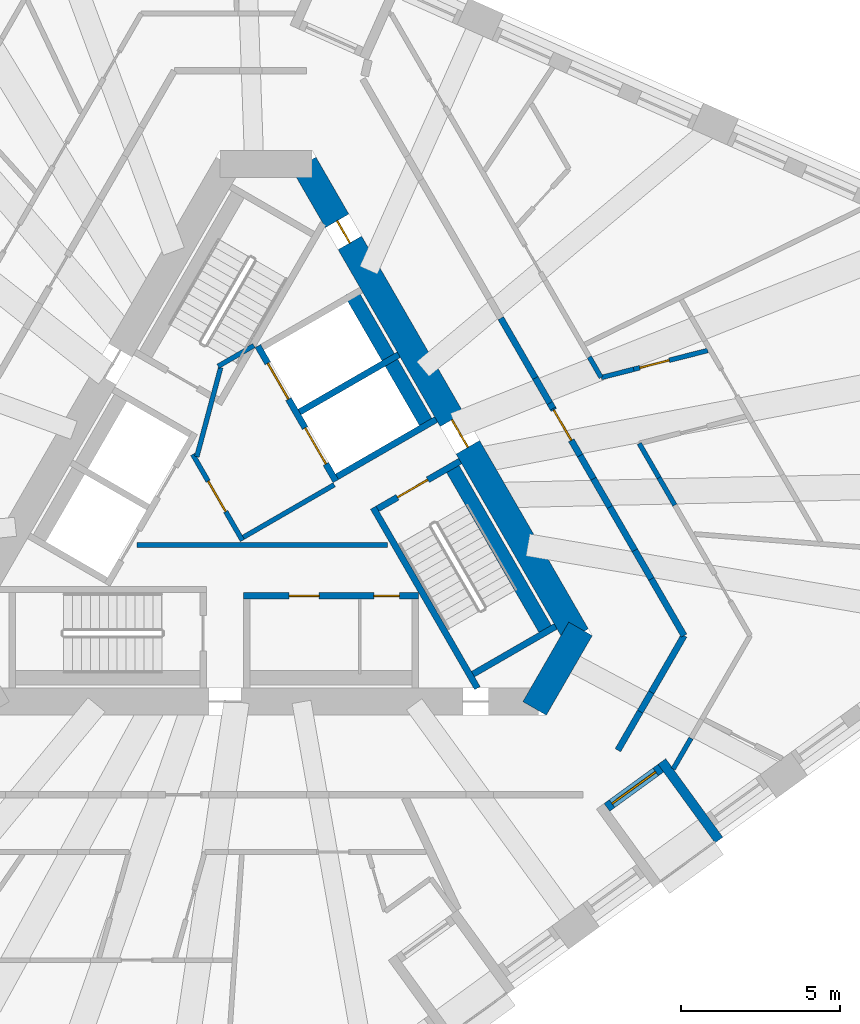
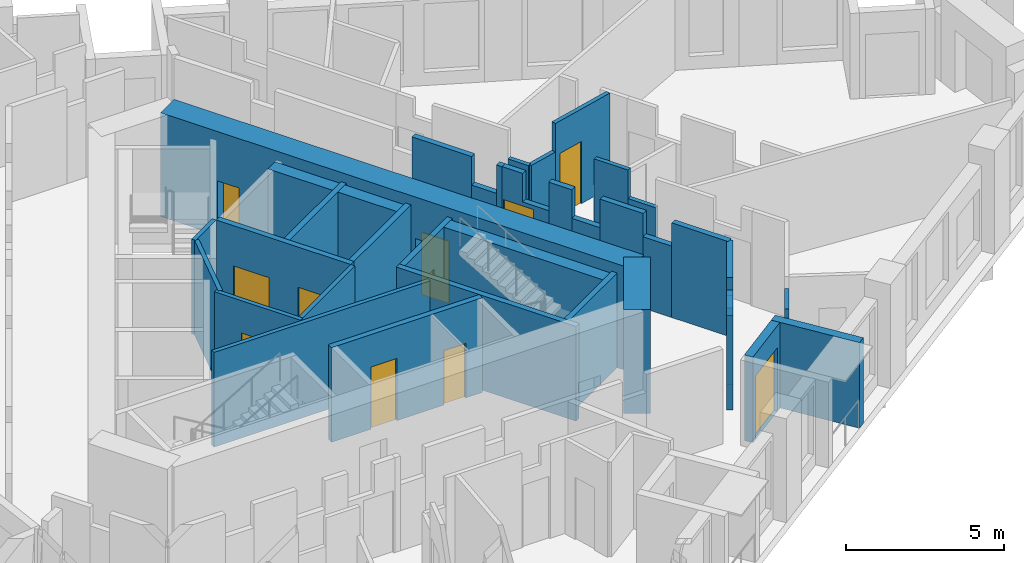
# One storey, part 5 of 14: 36 walls, 11 doors, 11 openings.
"""IFC4 building model written with IfcOpenShell, lengths in metres."""

from ifc_helpers import new_model, si_unit, direction, frame, frame_2d, origin, place, context, subcontext, project, spatial, polyline, rectangle, outline, extrude, material, layer, layer_set, type_object, element, fill, save


model = new_model("IFC4")

# Units and contexts
model_context = context("Model", 3, precision=1e-05, world=origin(), true_north=direction((0.0, 1.0)))
body_context = subcontext(model_context, "Body", "Model", "MODEL_VIEW")
ifc_project = project(units=[si_unit("LENGTHUNIT", "METRE"), si_unit("AREAUNIT", "SQUARE_METRE"), si_unit("VOLUMEUNIT", "CUBIC_METRE"), si_unit("PLANEANGLEUNIT", "RADIAN"), si_unit("MASSUNIT", "GRAM", prefix="KILO")], contexts=[model_context])

# Site, building, storey
site_placement = place(None, origin())
site = spatial("IfcSite", under=ifc_project, at=site_placement, CompositionType="ELEMENT")
building_placement = place(site_placement, origin())
building = spatial("IfcBuilding", under=site, at=building_placement, Name="Tramontana Tower", CompositionType="ELEMENT")
storey_placement = place(building_placement, frame((0.0, 0.0, 174.800048828125)))
storey = spatial("IfcBuildingStorey", under=building, at=storey_placement, Name="L40", CompositionType="ELEMENT", Elevation=174.800048828125)

# Wall
ifc_material_1 = material(Name="Concrete 70 MPa", Category="concrete")
ifc_layer_1 = layer(ifc_material_1, 0.85009765625)
ifc_layer_set_1 = layer_set([ifc_layer_1], Name="Core wall 850 70 MPa")
wall_type_1 = type_object("IfcWallType", Name="Core wall 850 70 MPa", PredefinedType="SHEAR", material=ifc_layer_set_1)
wall_1_placement = place(storey_placement, frame((8.4365234375, -6.53759765625, 0.0), z_axis=(0.0, 0.0, 1.0), x_axis=(0.499995765644, 0.866027848477, 0.0)))
element("IfcWall", 1, at=wall_1_placement, inside=storey, type_object=wall_type_1, Name="Core wall C4 L40", PredefinedType="SHEAR", context=body_context, shape_type="SweptSolid", body=[
    extrude(rectangle(XDim=2.88671875, YDim=0.85009765625, at=frame_2d((1.443359375, 0.0))), origin(), (0.0, 0.0, 1.0), 4.0),
])

# Wall, openings, doors
wall_2_placement = place(storey_placement, frame((9.757080078125, -4.25, 0.0), z_axis=(0.0, 0.0, 1.0), x_axis=(-0.499995289315, 0.866028123483, 0.0)))
wall_2 = element("IfcWall", 2, at=wall_2_placement, inside=storey, type_object=wall_type_1, Name="Core wall C5 L40", PredefinedType="SHEAR", context=body_context, shape_type="SweptSolid", body=[
    extrude(rectangle(XDim=17.118408203125, YDim=0.85009765625, at=frame_2d((8.55908203125, 0.0))), origin(), (0.0, 0.0, 1.0), 4.0),
])
opening_1_placement = place(wall_2_placement, frame((6.834228515625, 0.0, 0.0)))
opening_1 = element("IfcOpeningElement", 3, at=opening_1_placement, cuts=wall_2, Name="Opening RG3", PredefinedType="OPENING", context=body_context, shape_type="SweptSolid", body=[
    extrude(rectangle(XDim=1.0, YDim=2.39990234375, at=frame_2d((0.5, 1.199951171875))), frame((0.0, 0.43505859375, 0.0), z_axis=(0.0, -1.0, 0.0), x_axis=(1.0, 0.0, 0.0)), (0.0, 0.0, 1.0), 0.8701171875),
])
opening_2_placement = place(wall_2_placement, frame((14.251708984375, 0.0, 0.0)))
opening_2 = element("IfcOpeningElement", 4, at=opening_2_placement, cuts=wall_2, Name="Opening PD3", PredefinedType="OPENING", context=body_context, shape_type="SweptSolid", body=[
    extrude(rectangle(XDim=0.800048828125, YDim=2.10009765625, at=frame_2d((0.39990234375, 1.050048828125))), frame((0.0, 0.43505859375, 0.0), z_axis=(0.0, -1.0, 0.0), x_axis=(1.0, 0.0, 0.0)), (0.0, 0.0, 1.0), 0.8701171875),
])
ifc_material_2 = material(Name="Painted steel", Category="steel")
door_type_1 = type_object("IfcDoorType", Name="CUPBOARD DOOR 800", OperationType="SINGLE_SWING_LEFT", PredefinedType="DOOR", material=ifc_material_2)
door_1_placement = place(opening_2_placement, origin())
door_1 = element("IfcDoor", 5, at=door_1_placement, inside=storey, type_object=door_type_1, Name="Door PD3", OperationType="SINGLE_SWING_RIGHT", OverallHeight=2.10009765625, OverallWidth=0.800048828125, PredefinedType="DOOR", context=body_context, shape_type="SweptSolid", body=[
    extrude(rectangle(XDim=0.800048828125, YDim=2.10009765625, at=frame_2d((0.39990234375, 1.050048828125))), frame((0.0, 0.02490234375, 0.0), z_axis=(0.0, -1.0, 0.0), x_axis=(1.0, 0.0, 0.0)), (0.0, 0.0, 1.0), 0.050048828125),
])
fill(opening_2, door_1)
ifc_material_3 = material(Name="Painted steel", Category="steel")
door_type_2 = type_object("IfcDoorType", Name="RING DOOR 1000", OperationType="SINGLE_SWING_LEFT", PredefinedType="DOOR", material=ifc_material_3)
door_2_placement = place(opening_1_placement, origin())
door_2 = element("IfcDoor", 6, at=door_2_placement, inside=storey, type_object=door_type_2, Name="Door RG3", OperationType="SINGLE_SWING_RIGHT", OverallHeight=2.39990234375, OverallWidth=1.0, PredefinedType="DOOR", context=body_context, shape_type="SweptSolid", body=[
    extrude(rectangle(XDim=1.0, YDim=2.39990234375, at=frame_2d((0.5, 1.199951171875))), frame((0.0, 0.02490234375, 0.0), z_axis=(0.0, -1.0, 0.0), x_axis=(1.0, 0.0, 0.0)), (0.0, 0.0, 1.0), 0.050048828125),
])
fill(opening_1, door_2)

# Walls
ifc_material_4 = material(Name="Blockwork", Category="masonry")
ifc_layer_2 = layer(ifc_material_4, 0.199951171875)
ifc_layer_set_2 = layer_set([ifc_layer_2], Name="ENTRY WALL 200")
wall_type_2 = type_object("IfcWallType", Name="ENTRY WALL 200", PredefinedType="SOLIDWALL", material=ifc_layer_set_2)
wall_3_placement = place(storey_placement, frame((7.37548828125, 5.725341796875, 0.0), z_axis=(0.0, 0.0, 1.0), x_axis=(0.499975720793, -0.866039420937, 0.0)))
element("IfcWall", 7, at=wall_3_placement, inside=storey, type_object=wall_type_2, Name="Wall v41-ew0-4", PredefinedType="SOLIDWALL", context=body_context, shape_type="SweptSolid", body=[
    extrude(rectangle(XDim=2.16943359375, YDim=0.199951171875, at=frame_2d((1.084716796875, 0.0))), origin(), (0.0, 0.0, 1.0), 3.64990234375),
])
wall_4_placement = place(storey_placement, frame((8.460205078125, 3.846435546875, 0.0), z_axis=(0.0, 0.0, 1.0), x_axis=(0.499977996243, -0.866038107287, 0.0)))
element("IfcWall", 8, at=wall_4_placement, inside=storey, type_object=wall_type_2, Name="Wall v41-ew0-5", PredefinedType="SOLIDWALL", context=body_context, shape_type="SweptSolid", body=[
    extrude(rectangle(XDim=0.90966796875, YDim=0.199951171875, at=frame_2d((0.454833984375, 0.0))), origin(), (0.0, 0.0, 1.0), 2.550048828125),
])
wall_5_placement = place(storey_placement, frame((8.9150390625, 3.05859375, 0.0), z_axis=(0.0, 0.0, 1.0), x_axis=(0.500074377092, -0.865982457891, 0.0)))
element("IfcWall", 9, at=wall_5_placement, inside=storey, type_object=wall_type_2, Name="Wall v41-ew0-6", PredefinedType="SOLIDWALL", context=body_context, shape_type="SweptSolid", body=[
    extrude(rectangle(XDim=0.2001953125, YDim=0.199951171875, at=frame_2d((0.10009765625, 0.0))), origin(), (0.0, 0.0, 1.0), 3.64990234375),
])

# Wall, opening, door
wall_6_placement = place(storey_placement, frame((9.01513671875, 2.88525390625, 0.0), z_axis=(0.0, 0.0, 1.0), x_axis=(0.500036553983, -0.866004298304, 0.0)))
wall_6 = element("IfcWall", 10, at=wall_6_placement, inside=storey, type_object=wall_type_2, Name="Wall v41-ew0-7", PredefinedType="SOLIDWALL", context=body_context, shape_type="SweptSolid", body=[
    extrude(outline(polyline([(0.0, 0.0), (1.704345703125, 0.0), (1.7041015625, 2.550048828125), (0.750732421875, 2.550048828125), (0.750732421875, 3.64990234375), (0.0, 3.64990234375), (0.0, 0.0)])), frame((0.0, 0.10009765625, 0.0), z_axis=(0.0, -1.0, 0.0), x_axis=(1.0, 0.0, 0.0)), (0.0, 0.0, 1.0), 0.199951171875),
])
opening_3_placement = place(wall_6_placement, frame((0.050048828125, 0.0, 0.0)))
opening_3 = element("IfcOpeningElement", 11, at=opening_3_placement, cuts=wall_6, Name="Opening B4B-26", PredefinedType="OPENING", context=body_context, shape_type="SweptSolid", body=[
    extrude(rectangle(XDim=1.10009765625, YDim=2.39990234375, at=frame_2d((0.550048828125, 1.199951171875))), frame((0.0, 0.10986328125, 0.0), z_axis=(0.0, -1.0, 0.0), x_axis=(1.0, 0.0, 0.0)), (0.0, 0.0, 1.0), 0.219970703125),
])
ifc_material_5 = material(Name="Painted timber", Category="wood")
door_type_3 = type_object("IfcDoorType", Name="DOOR ENTRY 1100", OperationType="SINGLE_SWING_LEFT", PredefinedType="DOOR", material=ifc_material_5)
door_3_placement = place(opening_3_placement, origin())
door_3 = element("IfcDoor", 12, at=door_3_placement, inside=storey, type_object=door_type_3, Name="Door B4B-26", OperationType="SINGLE_SWING_RIGHT", OverallHeight=2.39990234375, OverallWidth=1.10009765625, PredefinedType="DOOR", context=body_context, shape_type="SweptSolid", body=[
    extrude(rectangle(XDim=1.10009765625, YDim=2.39990234375, at=frame_2d((0.550048828125, 1.199951171875))), frame((0.0, 0.02490234375, 0.0), z_axis=(0.0, -1.0, 0.0), x_axis=(1.0, 0.0, 0.0)), (0.0, 0.0, 1.0), 0.050048828125),
])
fill(opening_3, door_3)

# Walls
wall_7_placement = place(storey_placement, frame((9.867431640625, 1.4091796875, 0.0), z_axis=(0.0, 0.0, 1.0), x_axis=(0.499822960955, -0.8661275932, 0.0)))
element("IfcWall", 13, at=wall_7_placement, inside=storey, type_object=wall_type_2, Name="Wall v41-ew0-8", PredefinedType="SOLIDWALL", context=body_context, shape_type="SweptSolid", body=[
    extrude(rectangle(XDim=0.841064453125, YDim=0.199951171875, at=frame_2d((0.42041015625, 0.0))), origin(), (0.0, 0.0, 1.0), 3.64990234375),
])
wall_8_placement = place(storey_placement, frame((10.287841796875, 0.6806640625, 0.0), z_axis=(0.0, 0.0, 1.0), x_axis=(0.500079402778, -0.865979555715, 0.0)))
element("IfcWall", 14, at=wall_8_placement, inside=storey, type_object=wall_type_2, Name="Wall v41-ew0-9", PredefinedType="SOLIDWALL", context=body_context, shape_type="SweptSolid", body=[
    extrude(rectangle(XDim=1.026123046875, YDim=0.199951171875, at=frame_2d((0.51318359375, 0.0))), origin(), (0.0, 0.0, 1.0), 2.550048828125),
])
wall_9_placement = place(storey_placement, frame((10.801025390625, -0.2080078125, 0.0), z_axis=(0.0, 0.0, 1.0), x_axis=(0.500031717574, -0.86600709086, 0.0)))
element("IfcWall", 15, at=wall_9_placement, inside=storey, type_object=wall_type_2, Name="Wall v41-ew0-10", PredefinedType="SOLIDWALL", context=body_context, shape_type="SweptSolid", body=[
    extrude(rectangle(XDim=1.57177734375, YDim=0.199951171875, at=frame_2d((0.785888671875, 0.0))), origin(), (0.0, 0.0, 1.0), 3.64990234375),
])
wall_10_placement = place(storey_placement, frame((11.5869140625, -1.569091796875, 0.0), z_axis=(0.0, 0.0, 1.0), x_axis=(0.500054530113, -0.86599391852, 0.0)))
element("IfcWall", 16, at=wall_10_placement, inside=storey, type_object=wall_type_2, Name="Wall v41-ew0-11", PredefinedType="SOLIDWALL", context=body_context, shape_type="SweptSolid", body=[
    extrude(rectangle(XDim=1.03955078125, YDim=0.199951171875, at=frame_2d((0.519775390625, 0.0))), origin(), (0.0, 0.0, 1.0), 2.75),
])
wall_11_placement = place(storey_placement, frame((12.106689453125, -2.46923828125, 0.0), z_axis=(0.0, 0.0, 1.0), x_axis=(0.499982825521, -0.866035319247, 0.0)))
element("IfcWall", 17, at=wall_11_placement, inside=storey, type_object=wall_type_2, Name="Wall v41-ew0-12", PredefinedType="SOLIDWALL", context=body_context, shape_type="SweptSolid", body=[
    extrude(rectangle(XDim=2.05615234375, YDim=0.199951171875, at=frame_2d((1.028076171875, 0.0))), origin(), (0.0, 0.0, 1.0), 3.64990234375),
])
wall_12_placement = place(storey_placement, frame((13.134765625, -4.25, 0.0), z_axis=(0.0, 0.0, 1.0), x_axis=(-0.500030520673, -0.866007781949, 0.0)))
element("IfcWall", 18, at=wall_12_placement, inside=storey, type_object=wall_type_2, Name="Wall v41-ew1-0", PredefinedType="SOLIDWALL", context=body_context, shape_type="SweptSolid", body=[
    extrude(rectangle(XDim=2.057861328125, YDim=0.199951171875, at=frame_2d((1.02880859375, 0.0))), origin(), (0.0, 0.0, 1.0), 3.64990234375),
])
wall_13_placement = place(storey_placement, frame((12.105712890625, -6.0322265625, 0.0), z_axis=(0.0, 0.0, 1.0), x_axis=(-0.49996389635, -0.866046247233, 0.0)))
element("IfcWall", 19, at=wall_13_placement, inside=storey, type_object=wall_type_2, Name="Wall v41-ew1-1", PredefinedType="SOLIDWALL", context=body_context, shape_type="SweptSolid", body=[
    extrude(rectangle(XDim=0.7001953125, YDim=0.199951171875, at=frame_2d((0.35009765625, 0.0))), origin(), (0.0, 0.0, 1.0), 2.949951171875),
])
wall_14_placement = place(storey_placement, frame((11.755615234375, -6.638671875, 0.0), z_axis=(0.0, 0.0, 1.0), x_axis=(-0.49998411664, -0.866034573852, 0.0)))
element("IfcWall", 20, at=wall_14_placement, inside=storey, type_object=wall_type_2, Name="Wall v41-ew1-2", PredefinedType="SOLIDWALL", context=body_context, shape_type="SweptSolid", body=[
    extrude(rectangle(XDim=1.39990234375, YDim=0.199951171875, at=frame_2d((0.699951171875, 0.0))), origin(), (0.0, 0.0, 1.0), 3.64990234375),
])

# Wall, opening, door
ifc_material_6 = material(Name="Precast concrete 60 MPa", Category="concrete")
ifc_layer_3 = layer(ifc_material_6, 0.300048828125)
ifc_layer_set_3 = layer_set([ifc_layer_3], Name="LW1 Stone-faced loggia wall 300")
wall_type_3 = type_object("IfcWallType", Name="LW1 Stone-faced loggia wall 300", PredefinedType="SOLIDWALL", material=ifc_layer_set_3)
wall_15_placement = place(storey_placement, frame((10.710205078125, -9.647216796875, 0.0), z_axis=(0.0, 0.0, 1.0), x_axis=(0.808972932648, 0.587845893277, 0.0)))
wall_15 = element("IfcWall", 21, at=wall_15_placement, inside=storey, type_object=wall_type_3, Name="Loggia wall L40 G4S1.10", PredefinedType="SOLIDWALL", context=body_context, shape_type="SweptSolid", body=[
    extrude(rectangle(XDim=2.094482421875, YDim=0.300048828125, at=frame_2d((1.04736328125, 0.0))), origin(), (0.0, 0.0, 1.0), 3.300048828125),
])
opening_4_placement = place(wall_15_placement, frame((0.197265625, 0.0, 0.0)))
opening_4 = element("IfcOpeningElement", 22, at=opening_4_placement, cuts=wall_15, Name="Opening BD-4S1-10", PredefinedType="OPENING", context=body_context, shape_type="SweptSolid", body=[
    extrude(rectangle(XDim=1.699951171875, YDim=2.449951171875, at=frame_2d((0.85009765625, 1.22509765625))), frame((0.0, 0.159912109375, 0.0), z_axis=(0.0, -1.0, 0.0), x_axis=(1.0, 0.0, 0.0)), (0.0, 0.0, 1.0), 0.320068359375),
])
ifc_material_7 = material(Name="Aluminum frame, double glazing unit", Category="aluminium")
door_type_4 = type_object("IfcDoorType", Name="BD2 Sliding door 1.7 x 2.45", OperationType="SLIDING_TO_LEFT", PredefinedType="DOOR", material=ifc_material_7)
door_4_placement = place(opening_4_placement, origin())
door_4 = element("IfcDoor", 23, at=door_4_placement, inside=storey, type_object=door_type_4, Name="Loggia door L40 G4S1.10", OperationType="SLIDING_TO_LEFT", OverallHeight=2.449951171875, OverallWidth=1.699951171875, PredefinedType="DOOR", context=body_context, shape_type="SweptSolid", body=[
    extrude(rectangle(XDim=1.699951171875, YDim=2.449951171875, at=frame_2d((0.85009765625, 1.22509765625))), frame((0.0, 0.02490234375, 0.0), z_axis=(0.0, -1.0, 0.0), x_axis=(1.0, 0.0, 0.0)), (0.0, 0.0, 1.0), 0.050048828125),
])
fill(opening_4, door_4)

# Wall
wall_16_placement = place(storey_placement, frame((14.23046875, -10.674072265625, 0.0), z_axis=(0.0, 0.0, 1.0), x_axis=(-0.587776590479, 0.80902328748, 0.0)))
element("IfcWall", 24, at=wall_16_placement, inside=storey, type_object=wall_type_3, Name="Loggia return L40 G4S1.10b", PredefinedType="SOLIDWALL", context=body_context, shape_type="SweptSolid", body=[
    extrude(rectangle(XDim=3.050048828125, YDim=0.300048828125, at=frame_2d((1.52490234375, 0.0))), origin(), (0.0, 0.0, 1.0), 3.300048828125),
])

# Wall, opening, door
ifc_material_8 = material(Name="Gypsum board partition")
ifc_layer_4 = layer(ifc_material_8, 0.14990234375)
ifc_layer_set_4 = layer_set([ifc_layer_4], Name="PARTITION 150")
wall_type_4 = type_object("IfcWallType", Name="PARTITION 150", PredefinedType="PARTITIONING", material=ifc_layer_set_4)
wall_17_placement = place(storey_placement, frame((-0.744140625, -1.260986328125, 0.0), z_axis=(0.0, 0.0, 1.0), x_axis=(-0.500004234368, 0.866022959057, 0.0)))
wall_17 = element("IfcWall", 25, at=wall_17_placement, inside=storey, type_object=wall_type_4, Name="Wall ff-front", PredefinedType="PARTITIONING", context=body_context, shape_type="SweptSolid", body=[
    extrude(rectangle(XDim=3.125, YDim=0.14990234375, at=frame_2d((1.5625, 0.0))), origin(), (0.0, 0.0, 1.0), 3.64990234375),
])
opening_5_placement = place(wall_17_placement, frame((1.050048828125, 0.0, 0.0)))
opening_5 = element("IfcOpeningElement", 26, at=opening_5_placement, cuts=wall_17, Name="Opening FD1", PredefinedType="OPENING", context=body_context, shape_type="SweptSolid", body=[
    extrude(rectangle(XDim=1.10009765625, YDim=2.39990234375, at=frame_2d((0.550048828125, 1.199951171875))), frame((0.0, 0.0849609375, 0.0), z_axis=(0.0, -1.0, 0.0), x_axis=(1.0, 0.0, 0.0)), (0.0, 0.0, 1.0), 0.169921875),
])
door_5_placement = place(opening_5_placement, origin())
door_5 = element("IfcDoor", 27, at=door_5_placement, inside=storey, type_object=door_type_3, Name="Door FD1", OperationType="SINGLE_SWING_LEFT", OverallHeight=2.39990234375, OverallWidth=1.10009765625, PredefinedType="DOOR", context=body_context, shape_type="SweptSolid", body=[
    extrude(rectangle(XDim=1.10009765625, YDim=2.39990234375, at=frame_2d((0.550048828125, 1.199951171875))), frame((0.0, 0.02490234375, 0.0), z_axis=(0.0, -1.0, 0.0), x_axis=(1.0, 0.0, 0.0)), (0.0, 0.0, 1.0), 0.050048828125),
])
fill(opening_5, door_5)

# Walls
wall_18_placement = place(storey_placement, frame((-0.716796875, -1.15869140625, 0.0), z_axis=(0.0, 0.0, 1.0), x_axis=(0.866008176907, 0.50002983664, 0.0)))
element("IfcWall", 28, at=wall_18_placement, inside=storey, type_object=wall_type_4, Name="Wall ff-end0", PredefinedType="PARTITIONING", context=body_context, shape_type="SweptSolid", body=[
    extrude(rectangle(XDim=3.300048828125, YDim=0.14990234375, at=frame_2d((1.64990234375, 0.0))), origin(), (0.0, 0.0, 1.0), 3.64990234375),
])
wall_19_placement = place(storey_placement, frame((-2.177978515625, 1.372314453125, 0.0), z_axis=(0.0, 0.0, 1.0), x_axis=(0.258808958833, 0.96592852884, 0.0)))
element("IfcWall", 29, at=wall_19_placement, inside=storey, type_object=wall_type_4, Name="Wall ff-diag", PredefinedType="PARTITIONING", context=body_context, shape_type="SweptSolid", body=[
    extrude(rectangle(XDim=2.902587890625, YDim=0.14990234375, at=frame_2d((1.451171875, 0.0))), origin(), (0.0, 0.0, 1.0), 3.64990234375),
])
wall_20_placement = place(storey_placement, frame((-1.509765625, 4.21484375, 0.0), z_axis=(0.0, 0.0, 1.0), x_axis=(0.866085525409, 0.49989585183, 0.0)))
element("IfcWall", 30, at=wall_20_placement, inside=storey, type_object=wall_type_4, Name="Wall ff-end1", PredefinedType="PARTITIONING", context=body_context, shape_type="SweptSolid", body=[
    extrude(rectangle(XDim=1.300048828125, YDim=0.14990234375, at=frame_2d((0.64990234375, 0.0))), origin(), (0.0, 0.0, 1.0), 3.64990234375),
])
wall_21_placement = place(storey_placement, frame((-4.053466796875, -1.39990234375, 0.0), z_axis=(0.0, 0.0, 1.0), x_axis=(1.0, 0.0, 0.0)))
element("IfcWall", 31, at=wall_21_placement, inside=storey, type_object=wall_type_4, Name="Wall hub-cut1", PredefinedType="PARTITIONING", context=body_context, shape_type="SweptSolid", body=[
    extrude(rectangle(XDim=7.8759765625, YDim=0.14990234375, at=frame_2d((3.93798828125, 0.0))), origin(), (0.0, 0.0, 1.0), 3.64990234375),
])
wall_22_placement = place(storey_placement, frame((10.1572265625, 4.50732421875, 0.0), z_axis=(0.0, 0.0, 1.0), x_axis=(0.499807625453, -0.866136442796, 0.0)))
element("IfcWall", 32, at=wall_22_placement, inside=storey, type_object=wall_type_4, Name="Wall v41-pw33-5", PredefinedType="PARTITIONING", context=body_context, shape_type="SweptSolid", body=[
    extrude(rectangle(XDim=0.744384765625, YDim=0.14990234375, at=frame_2d((0.3720703125, 0.0))), origin(), (0.0, 0.0, 1.0), 2.550048828125),
])
wall_23_placement = place(storey_placement, frame((10.53271484375, 3.861083984375, 0.0), z_axis=(0.0, 0.0, 1.0), x_axis=(0.969221102538, 0.246191905624, 0.0)))
element("IfcWall", 33, at=wall_23_placement, inside=storey, type_object=wall_type_4, Name="Wall v41-pw42-0", PredefinedType="PARTITIONING", context=body_context, shape_type="SweptSolid", body=[
    extrude(rectangle(XDim=1.05224609375, YDim=0.14990234375, at=frame_2d((0.526123046875, 0.0))), origin(), (0.0, 0.0, 1.0), 2.550048828125),
])

# Wall, opening, door
wall_24_placement = place(storey_placement, frame((11.552490234375, 4.1201171875, 0.0), z_axis=(0.0, 0.0, 1.0), x_axis=(0.969232309968, 0.246147779423, 0.0)))
wall_24 = element("IfcWall", 34, at=wall_24_placement, inside=storey, type_object=wall_type_4, Name="Wall v41-pw42-1", PredefinedType="PARTITIONING", context=body_context, shape_type="SweptSolid", body=[
    extrude(rectangle(XDim=2.400146484375, YDim=0.14990234375, at=frame_2d((1.2001953125, 0.0))), origin(), (0.0, 0.0, 1.0), 3.64990234375),
])
opening_6_placement = place(wall_24_placement, frame((0.19921875, 0.0, 0.0)))
opening_6 = element("IfcOpeningElement", 35, at=opening_6_placement, cuts=wall_24, Name="Opening B4B-15", PredefinedType="OPENING", context=body_context, shape_type="SweptSolid", body=[
    extrude(rectangle(XDim=0.949951171875, YDim=2.39990234375, at=frame_2d((0.47509765625, 1.199951171875))), frame((0.0, 0.0849609375, 0.0), z_axis=(0.0, -1.0, 0.0), x_axis=(1.0, 0.0, 0.0)), (0.0, 0.0, 1.0), 0.169921875),
])
ifc_material_9 = material(Name="Painted timber", Category="wood")
door_type_5 = type_object("IfcDoorType", Name="DOOR ROOM 950", OperationType="SINGLE_SWING_LEFT", PredefinedType="DOOR", material=ifc_material_9)
door_6_placement = place(opening_6_placement, origin())
door_6 = element("IfcDoor", 36, at=door_6_placement, inside=storey, type_object=door_type_5, Name="Door B4B-15", OperationType="SINGLE_SWING_LEFT", OverallHeight=2.39990234375, OverallWidth=0.949951171875, PredefinedType="DOOR", context=body_context, shape_type="SweptSolid", body=[
    extrude(rectangle(XDim=0.949951171875, YDim=2.39990234375, at=frame_2d((0.47509765625, 1.199951171875))), frame((0.0, 0.02490234375, 0.0), z_axis=(0.0, -1.0, 0.0), x_axis=(1.0, 0.0, 0.0)), (0.0, 0.0, 1.0), 0.050048828125),
])
fill(opening_6, door_6)

# Walls
wall_25_placement = place(storey_placement, frame((11.727294921875, 1.78759765625, 0.0), z_axis=(0.0, 0.0, 1.0), x_axis=(0.499995303914, -0.866028115054, 0.0)))
element("IfcWall", 37, at=wall_25_placement, inside=storey, type_object=wall_type_4, Name="Wall v41-pw43-0", PredefinedType="PARTITIONING", context=body_context, shape_type="SweptSolid", body=[
    extrude(rectangle(XDim=1.2392578125, YDim=0.14990234375, at=frame_2d((0.61962890625, 0.0))), origin(), (0.0, 0.0, 1.0), 3.64990234375),
])
wall_26_placement = place(storey_placement, frame((12.346923828125, 0.71435546875, 0.0), z_axis=(0.0, 0.0, 1.0), x_axis=(0.499955472713, -0.866051110099, 0.0)))
element("IfcWall", 38, at=wall_26_placement, inside=storey, type_object=wall_type_4, Name="Wall v41-pw43-1", PredefinedType="PARTITIONING", context=body_context, shape_type="SweptSolid", body=[
    extrude(rectangle(XDim=0.99755859375, YDim=0.14990234375, at=frame_2d((0.498779296875, 0.0))), origin(), (0.0, 0.0, 1.0), 2.550048828125),
])
wall_27_placement = place(storey_placement, frame((13.3525390625, -7.47265625, 0.0), z_axis=(0.0, 0.0, 1.0), x_axis=(-0.500037474894, -0.866003766563, 0.0)))
element("IfcWall", 39, at=wall_27_placement, inside=storey, type_object=wall_type_4, Name="Wall v41-pw47-2", PredefinedType="PARTITIONING", context=body_context, shape_type="SweptSolid", body=[
    extrude(rectangle(XDim=1.1181640625, YDim=0.14990234375, at=frame_2d((0.55908203125, 0.0))), origin(), (0.0, 0.0, 1.0), 3.64990234375),
])
ifc_material_10 = material(Name="Concrete 70 MPa", Category="concrete")
ifc_layer_5 = layer(ifc_material_10, 0.449951171875)
ifc_layer_set_5 = layer_set([ifc_layer_5], Name="Concrete 70 MPa, 450 mm")
wall_type_5 = type_object("IfcWallType", Name="RC SHAFT BACK WALL 450", PredefinedType="SOLIDWALL", material=ifc_layer_set_5)
wall_28_placement = place(storey_placement, frame((8.8681640625, -4.2099609375, 0.0), z_axis=(0.0, 0.0, 1.0), x_axis=(-0.500009909098, 0.866019682689, 0.0)))
element("IfcWall", 40, at=wall_28_placement, inside=storey, type_object=wall_type_5, Name="Wall st3-back", PredefinedType="SOLIDWALL", context=body_context, shape_type="SweptSolid", body=[
    extrude(rectangle(XDim=6.199951171875, YDim=0.449951171875, at=frame_2d((3.10009765625, 0.0))), origin(), (0.0, 0.0, 1.0), 3.64990234375),
])
wall_29_placement = place(storey_placement, frame((5.113037109375, 2.2939453125, 0.0), z_axis=(0.0, 0.0, 1.0), x_axis=(-0.500002801628, 0.866023786258, 0.0)))
element("IfcWall", 41, at=wall_29_placement, inside=storey, type_object=wall_type_5, Name="Wall row2-back", PredefinedType="SOLIDWALL", context=body_context, shape_type="SweptSolid", body=[
    extrude(rectangle(XDim=4.89990234375, YDim=0.449951171875, at=frame_2d((2.449951171875, 0.0))), origin(), (0.0, 0.0, 1.0), 3.64990234375),
])
ifc_material_11 = material(Name="Concrete 70 MPa", Category="concrete")
ifc_layer_6 = layer(ifc_material_11, 0.199951171875)
ifc_layer_set_6 = layer_set([ifc_layer_6], Name="Concrete 70 MPa, 200 mm")
wall_type_6 = type_object("IfcWallType", Name="RC STAIR AND SHAFT WALL 200", PredefinedType="SOLIDWALL", material=ifc_layer_set_6)
wall_30_placement = place(storey_placement, frame((6.6396484375, -5.89990234375, 0.0), z_axis=(0.0, 0.0, 1.0), x_axis=(-0.499999959354, 0.866025427251, 0.0)))
element("IfcWall", 42, at=wall_30_placement, inside=storey, type_object=wall_type_6, Name="Wall st3-front", PredefinedType="SOLIDWALL", context=body_context, shape_type="SweptSolid", body=[
    extrude(rectangle(XDim=6.54931640625, YDim=0.199951171875, at=frame_2d((3.274658203125, 0.0))), origin(), (0.0, 0.0, 1.0), 3.64990234375),
])
wall_31_placement = place(storey_placement, frame((6.50146484375, -5.4609375, 0.0), z_axis=(0.0, 0.0, 1.0), x_axis=(0.866031096941, 0.499990139034, 0.0)))
element("IfcWall", 43, at=wall_31_placement, inside=storey, type_object=wall_type_6, Name="Wall st3-far", PredefinedType="SOLIDWALL", context=body_context, shape_type="SweptSolid", body=[
    extrude(rectangle(XDim=3.0, YDim=0.199951171875, at=frame_2d((1.5, 0.0))), origin(), (0.0, 0.0, 1.0), 3.64990234375),
])

# Wall, opening, door
wall_32_placement = place(storey_placement, frame((3.50146484375, -0.2646484375, 0.0), z_axis=(0.0, 0.0, 1.0), x_axis=(0.866031096941, 0.499990139034, 0.0)))
wall_32 = element("IfcWall", 44, at=wall_32_placement, inside=storey, type_object=wall_type_6, Name="Wall st3-near", PredefinedType="SOLIDWALL", context=body_context, shape_type="SweptSolid", body=[
    extrude(rectangle(XDim=3.0, YDim=0.199951171875, at=frame_2d((1.5, 0.0))), origin(), (0.0, 0.0, 1.0), 3.64990234375),
])
opening_7_placement = place(wall_32_placement, frame((0.72509765625, 0.0, 0.0)))
opening_7 = element("IfcOpeningElement", 45, at=opening_7_placement, cuts=wall_32, Name="Opening SD3", PredefinedType="OPENING", context=body_context, shape_type="SweptSolid", body=[
    extrude(rectangle(XDim=1.10009765625, YDim=2.39990234375, at=frame_2d((0.550048828125, 1.199951171875))), frame((0.0, 0.10986328125, 0.0), z_axis=(0.0, -1.0, 0.0), x_axis=(1.0, 0.0, 0.0)), (0.0, 0.0, 1.0), 0.219970703125),
])
ifc_material_12 = material(Name="Painted steel", Category="steel")
door_type_6 = type_object("IfcDoorType", Name="STAIR DOOR 1100", OperationType="SINGLE_SWING_LEFT", PredefinedType="DOOR", material=ifc_material_12)
door_7_placement = place(opening_7_placement, origin())
door_7 = element("IfcDoor", 46, at=door_7_placement, inside=storey, type_object=door_type_6, Name="Door SD3", OperationType="SINGLE_SWING_RIGHT", OverallHeight=2.39990234375, OverallWidth=1.10009765625, PredefinedType="DOOR", context=body_context, shape_type="SweptSolid", body=[
    extrude(rectangle(XDim=1.10009765625, YDim=2.39990234375, at=frame_2d((0.550048828125, 1.199951171875))), frame((0.0, 0.02490234375, 0.0), z_axis=(0.0, -1.0, 0.0), x_axis=(1.0, 0.0, 0.0)), (0.0, 0.0, 1.0), 0.050048828125),
])
fill(opening_7, door_7)

# Wall, openings, doors
wall_33_placement = place(storey_placement, frame((4.7900390625, -3.0, 0.0), z_axis=(0.0, 0.0, 1.0), x_axis=(-1.0, 0.0, 0.0)))
wall_33 = element("IfcWall", 47, at=wall_33_placement, inside=storey, type_object=wall_type_6, Name="Wall row1-front", PredefinedType="SOLIDWALL", context=body_context, shape_type="SweptSolid", body=[
    extrude(rectangle(XDim=5.5, YDim=0.199951171875, at=frame_2d((2.75, 0.0))), origin(), (0.0, 0.0, 1.0), 3.64990234375),
])
opening_8_placement = place(wall_33_placement, frame((3.1201171875, 0.0, 0.0)))
opening_8 = element("IfcOpeningElement", 48, at=opening_8_placement, cuts=wall_33, Name="Opening RD-1A", PredefinedType="OPENING", context=body_context, shape_type="SweptSolid", body=[
    extrude(rectangle(XDim=0.949951171875, YDim=2.39990234375, at=frame_2d((0.47509765625, 1.199951171875))), frame((0.0, 0.10986328125, 0.0), z_axis=(0.0, -1.0, 0.0), x_axis=(1.0, 0.0, 0.0)), (0.0, 0.0, 1.0), 0.219970703125),
])
opening_9_placement = place(wall_33_placement, frame((0.60498046875, 0.0, 0.0)))
opening_9 = element("IfcOpeningElement", 49, at=opening_9_placement, cuts=wall_33, Name="Opening RD-1B", PredefinedType="OPENING", context=body_context, shape_type="SweptSolid", body=[
    extrude(rectangle(XDim=0.800048828125, YDim=2.10009765625, at=frame_2d((0.39990234375, 1.050048828125))), frame((0.0, 0.10986328125, 0.0), z_axis=(0.0, -1.0, 0.0), x_axis=(1.0, 0.0, 0.0)), (0.0, 0.0, 1.0), 0.219970703125),
])
door_8_placement = place(opening_9_placement, origin())
door_8 = element("IfcDoor", 50, at=door_8_placement, inside=storey, type_object=door_type_1, Name="Door RD-1B", OperationType="SINGLE_SWING_RIGHT", OverallHeight=2.10009765625, OverallWidth=0.800048828125, PredefinedType="DOOR", context=body_context, shape_type="SweptSolid", body=[
    extrude(rectangle(XDim=0.800048828125, YDim=2.10009765625, at=frame_2d((0.39990234375, 1.050048828125))), frame((0.0, 0.02490234375, 0.0), z_axis=(0.0, -1.0, 0.0), x_axis=(1.0, 0.0, 0.0)), (0.0, 0.0, 1.0), 0.050048828125),
])
fill(opening_9, door_8)
door_9_placement = place(opening_8_placement, origin())
door_9 = element("IfcDoor", 51, at=door_9_placement, inside=storey, type_object=door_type_5, Name="Door RD-1A", OperationType="SINGLE_SWING_LEFT", OverallHeight=2.39990234375, OverallWidth=0.949951171875, PredefinedType="DOOR", context=body_context, shape_type="SweptSolid", body=[
    extrude(rectangle(XDim=0.949951171875, YDim=2.39990234375, at=frame_2d((0.47509765625, 1.199951171875))), frame((0.0, 0.02490234375, 0.0), z_axis=(0.0, -1.0, 0.0), x_axis=(1.0, 0.0, 0.0)), (0.0, 0.0, 1.0), 0.050048828125),
])
fill(opening_8, door_9)

wall_34_placement = place(storey_placement, frame((2.190185546875, 0.6064453125, 0.0), z_axis=(0.0, 0.0, 1.0), x_axis=(-0.500002801628, 0.866023786258, 0.0)))
wall_34 = element("IfcWall", 52, at=wall_34_placement, inside=storey, type_object=wall_type_6, Name="Wall row2-front", PredefinedType="SOLIDWALL", context=body_context, shape_type="SweptSolid", body=[
    extrude(rectangle(XDim=4.89990234375, YDim=0.199951171875, at=frame_2d((2.449951171875, 0.0))), origin(), (0.0, 0.0, 1.0), 3.64990234375),
])
opening_10_placement = place(wall_34_placement, frame((0.625, 0.0, 0.0)))
opening_10 = element("IfcOpeningElement", 53, at=opening_10_placement, cuts=wall_34, Name="Opening LD-F1", PredefinedType="OPENING", context=body_context, shape_type="SweptSolid", body=[
    extrude(rectangle(XDim=1.300048828125, YDim=2.10009765625, at=frame_2d((0.64990234375, 1.050048828125))), frame((0.0, 0.10986328125, 0.0), z_axis=(0.0, -1.0, 0.0), x_axis=(1.0, 0.0, 0.0)), (0.0, 0.0, 1.0), 0.219970703125),
])
opening_11_placement = place(wall_34_placement, frame((2.97509765625, 0.0, 0.0)))
opening_11 = element("IfcOpeningElement", 54, at=opening_11_placement, cuts=wall_34, Name="Opening LD-F2", PredefinedType="OPENING", context=body_context, shape_type="SweptSolid", body=[
    extrude(rectangle(XDim=1.300048828125, YDim=2.10009765625, at=frame_2d((0.64990234375, 1.050048828125))), frame((0.0, 0.10986328125, 0.0), z_axis=(0.0, -1.0, 0.0), x_axis=(1.0, 0.0, 0.0)), (0.0, 0.0, 1.0), 0.219970703125),
])
ifc_material_13 = material(Name="Brushed steel", Category="steel")
door_type_7 = type_object("IfcDoorType", Name="LANDING DOOR 1300", OperationType="SINGLE_SWING_LEFT", PredefinedType="DOOR", material=ifc_material_13)
door_10_placement = place(opening_10_placement, origin())
door_10 = element("IfcDoor", 55, at=door_10_placement, inside=storey, type_object=door_type_7, Name="Door LD-F1", OperationType="SLIDING_TO_LEFT", OverallHeight=2.10009765625, OverallWidth=1.300048828125, PredefinedType="DOOR", context=body_context, shape_type="SweptSolid", body=[
    extrude(rectangle(XDim=1.300048828125, YDim=2.10009765625, at=frame_2d((0.64990234375, 1.050048828125))), frame((0.0, 0.02490234375, 0.0), z_axis=(0.0, -1.0, 0.0), x_axis=(1.0, 0.0, 0.0)), (0.0, 0.0, 1.0), 0.050048828125),
])
fill(opening_10, door_10)
door_11_placement = place(opening_11_placement, origin())
door_11 = element("IfcDoor", 56, at=door_11_placement, inside=storey, type_object=door_type_7, Name="Door LD-F2", OperationType="SLIDING_TO_RIGHT", OverallHeight=2.10009765625, OverallWidth=1.300048828125, PredefinedType="DOOR", context=body_context, shape_type="SweptSolid", body=[
    extrude(rectangle(XDim=1.300048828125, YDim=2.10009765625, at=frame_2d((0.64990234375, 1.050048828125))), frame((0.0, 0.02490234375, 0.0), z_axis=(0.0, -1.0, 0.0), x_axis=(1.0, 0.0, 0.0)), (0.0, 0.0, 1.0), 0.050048828125),
])
fill(opening_11, door_11)

# Walls
for number, where, z_axis, x_axis, name in (
    (57, (2.226806640625, 0.742919921875, 0.0), (0.0, 0.0, 1.0), (0.866018442252, 0.500012057535, 0.0), "Wall row2-side0"),
    (58, (1.0517578125, 2.778076171875, 0.0), (0.0, 0.0, 1.0), (0.866018442252, 0.500012057535, 0.0), "Wall row2-side1"),
):
    element("IfcWall", number, at=place(storey_placement, frame(where, z_axis=z_axis, x_axis=x_axis)), inside=storey, type_object=wall_type_6, Name=name, PredefinedType="SOLIDWALL", context=body_context, shape_type="SweptSolid", body=[
        extrude(rectangle(XDim=3.60009765625, YDim=0.199951171875, at=frame_2d((1.800048828125, 0.0))), origin(), (0.0, 0.0, 1.0), 3.64990234375),
    ])

save(model, "model.ifc")
